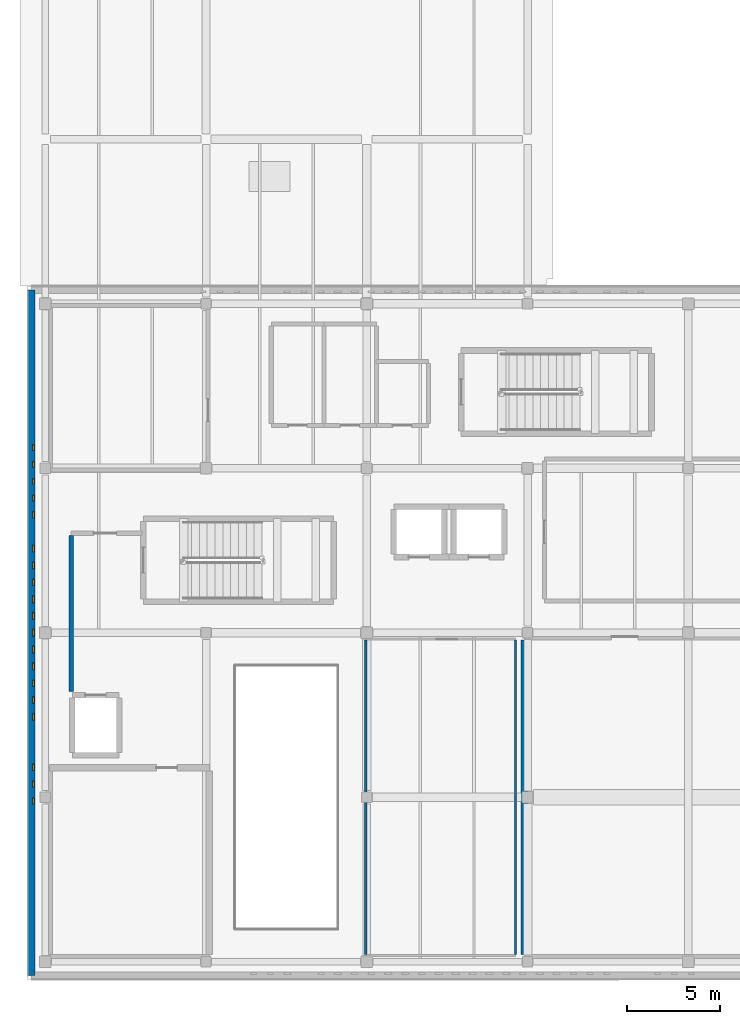
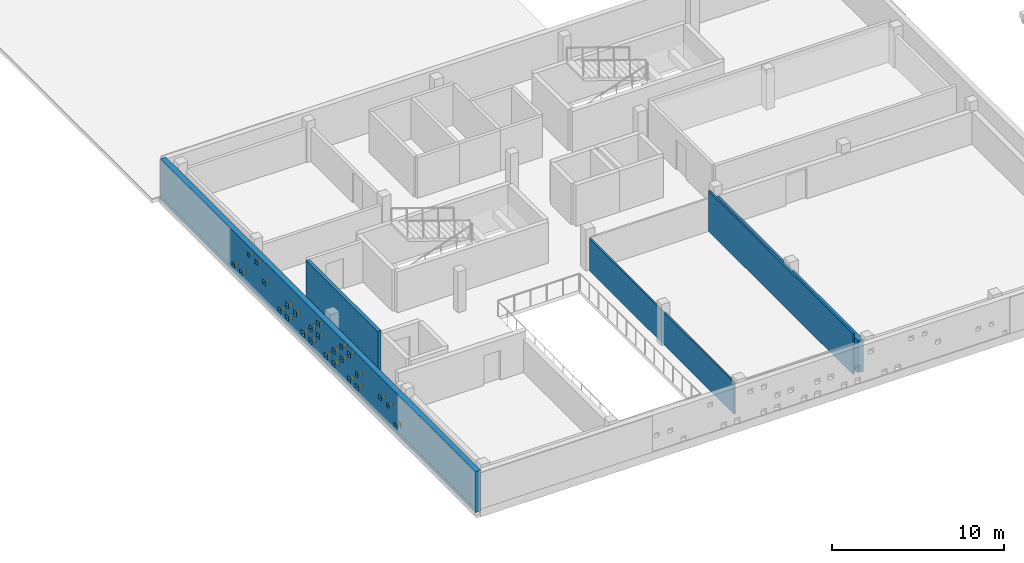
# One storey, part 9 of 17: 26 windows, 5 walls, 26 openings.
"""IFC4 building model written with IfcOpenShell, lengths in metres."""

from ifc_helpers import new_model, si_unit, direction, frame, frame_2d, origin, place, context, subcontext, project, spatial, rectangle, extrude, material, layer, layer_set, type_object, element, fill, save


model = new_model("IFC4")

# Units and contexts
model_context = context("Model", 3, precision=1e-05, world=origin(), true_north=direction((0.0, 1.0)))
body_context = subcontext(model_context, "Body", "Model", "MODEL_VIEW")
ifc_project = project(units=[si_unit("LENGTHUNIT", "METRE"), si_unit("AREAUNIT", "SQUARE_METRE"), si_unit("VOLUMEUNIT", "CUBIC_METRE"), si_unit("PLANEANGLEUNIT", "RADIAN"), si_unit("MASSUNIT", "GRAM", prefix="KILO")], contexts=[model_context])

# Site, building, storey
site_placement = place(None, origin())
site = spatial("IfcSite", under=ifc_project, at=site_placement, CompositionType="ELEMENT")
building_placement = place(site_placement, origin())
building = spatial("IfcBuilding", under=site, at=building_placement, Name="Varnakota Cinema and Media Centre", CompositionType="ELEMENT")
storey_placement = place(building_placement, frame((0.0, 0.0, 22.35009765625)))
storey = spatial("IfcBuildingStorey", under=building, at=storey_placement, Name="L06", CompositionType="ELEMENT", Elevation=22.35009765625)

# Wall
ifc_material_1 = material(Name="Autoclaved aerated concrete blockwork", Category="masonry")
ifc_layer_1 = layer(ifc_material_1, 0.22998046875)
ifc_layer_set_1 = layer_set([ifc_layer_1], Name="Autoclaved aerated concrete blockwork")
wall_type_1 = type_object("IfcWallType", Name="W-BOX-230", PredefinedType="PARTITIONING", material=ifc_layer_set_1)
wall_1_placement = place(storey_placement, frame((1.385009765625, 14.449951171875, 0.0), z_axis=(0.0, 0.0, 1.0), x_axis=(0.0, 1.0, 0.0)))
element("IfcWall", 1, at=wall_1_placement, inside=storey, type_object=wall_type_1, Name="L06 RWALL-RM-L06-FF-1 W wall", PredefinedType="PARTITIONING", context=body_context, shape_type="SweptSolid", body=[
    extrude(rectangle(XDim=8.35009765625, YDim=0.22998046875, at=frame_2d((4.175048828125, 0.0))), origin(), (0.0, 0.0, 1.0), 2.889892578125),
])

# Wall, openings, windows
ifc_material_2 = material(Name="Pale Tandur limestone cladding", Category="masonry")
ifc_layer_2 = layer(ifc_material_2, 0.360107421875)
ifc_layer_set_2 = layer_set([ifc_layer_2], Name="Pale Tandur limestone cladding")
wall_type_2 = type_object("IfcWallType", Name="W-EXT-TANDUR-360", PredefinedType="SOLIDWALL", material=ifc_layer_set_2)
wall_2_placement = place(storey_placement, frame((-0.739990234375, -0.739990234375, 0.0), z_axis=(0.0, 0.0, 1.0), x_axis=(0.0, 1.0, 0.0)))
wall_2 = element("IfcWall", 2, at=wall_2_placement, inside=storey, type_object=wall_type_2, Name="L06 V4 pale Tandur stone monolith wall V4-W", PredefinedType="SOLIDWALL", context=body_context, shape_type="SweptSolid", body=[
    extrude(rectangle(XDim=36.679931640625, YDim=0.360107421875, at=frame_2d((18.33984375, 0.0))), origin(), (0.0, 0.0, 1.0), 2.909912109375),
])
opening_1_placement = place(wall_2_placement, frame((9.179931640625, 0.0, 0.360107421875)))
opening_1 = element("IfcOpeningElement", 3, at=opening_1_placement, cuts=wall_2, Name="Opening WP13", PredefinedType="OPENING", context=body_context, shape_type="SweptSolid", body=[
    extrude(rectangle(XDim=0.320068359375, YDim=0.320068359375, at=frame_2d((0.16015625, 0.16015625))), frame((0.0, 0.18017578125, 0.0), z_axis=(0.0, -1.0, 0.0), x_axis=(1.0, 0.0, 0.0)), (0.0, 0.0, 1.0), 0.360107421875),
])
opening_2_placement = place(wall_2_placement, frame((10.090087890625, 0.0, 1.260009765625)))
opening_2 = element("IfcOpeningElement", 4, at=opening_2_placement, cuts=wall_2, Name="Opening WP14", PredefinedType="OPENING", context=body_context, shape_type="SweptSolid", body=[
    extrude(rectangle(XDim=0.300048828125, YDim=0.300048828125, at=frame_2d((0.14990234375, 0.14990234375))), frame((0.0, 0.18017578125, 0.0), z_axis=(0.0, -1.0, 0.0), x_axis=(1.0, 0.0, 0.0)), (0.0, 0.0, 1.0), 0.360107421875),
])
opening_3_placement = place(wall_2_placement, frame((10.97998046875, 0.0, 1.260009765625)))
opening_3 = element("IfcOpeningElement", 5, at=opening_3_placement, cuts=wall_2, Name="Opening WP13", PredefinedType="OPENING", context=body_context, shape_type="SweptSolid", body=[
    extrude(rectangle(XDim=0.320068359375, YDim=0.320068359375, at=frame_2d((0.16015625, 0.16015625))), frame((0.0, 0.18017578125, 0.0), z_axis=(0.0, -1.0, 0.0), x_axis=(1.0, 0.0, 0.0)), (0.0, 0.0, 1.0), 0.360107421875),
])
opening_4_placement = place(wall_2_placement, frame((13.659912109375, 0.0, 0.360107421875)))
opening_4 = element("IfcOpeningElement", 6, at=opening_4_placement, cuts=wall_2, Name="Opening WP11", PredefinedType="OPENING", context=body_context, shape_type="SweptSolid", body=[
    extrude(rectangle(XDim=0.360107421875, YDim=0.360107421875, at=frame_2d((0.18017578125, 0.18017578125))), frame((0.0, 0.18017578125, 0.0), z_axis=(0.0, -1.0, 0.0), x_axis=(1.0, 0.0, 0.0)), (0.0, 0.0, 1.0), 0.360107421875),
])
opening_5_placement = place(wall_2_placement, frame((13.669921875, 0.0, 1.260009765625)))
opening_5 = element("IfcOpeningElement", 7, at=opening_5_placement, cuts=wall_2, Name="Opening WP12", PredefinedType="OPENING", context=body_context, shape_type="SweptSolid", body=[
    extrude(rectangle(XDim=0.340087890625, YDim=0.340087890625, at=frame_2d((0.169921875, 0.169921875))), frame((0.0, 0.18017578125, 0.0), z_axis=(0.0, -1.0, 0.0), x_axis=(1.0, 0.0, 0.0)), (0.0, 0.0, 1.0), 0.360107421875),
])
opening_6_placement = place(wall_2_placement, frame((14.56005859375, 0.0, 0.360107421875)))
opening_6 = element("IfcOpeningElement", 8, at=opening_6_placement, cuts=wall_2, Name="Opening WP11", PredefinedType="OPENING", context=body_context, shape_type="SweptSolid", body=[
    extrude(rectangle(XDim=0.360107421875, YDim=0.360107421875, at=frame_2d((0.18017578125, 0.18017578125))), frame((0.0, 0.18017578125, 0.0), z_axis=(0.0, -1.0, 0.0), x_axis=(1.0, 0.0, 0.0)), (0.0, 0.0, 1.0), 0.360107421875),
])
opening_7_placement = place(wall_2_placement, frame((14.580078125, 0.0, 2.159912109375)))
opening_7 = element("IfcOpeningElement", 9, at=opening_7_placement, cuts=wall_2, Name="Opening WP13", PredefinedType="OPENING", context=body_context, shape_type="SweptSolid", body=[
    extrude(rectangle(XDim=0.320068359375, YDim=0.320068359375, at=frame_2d((0.16015625, 0.16015625))), frame((0.0, 0.18017578125, 0.0), z_axis=(0.0, -1.0, 0.0), x_axis=(1.0, 0.0, 0.0)), (0.0, 0.0, 1.0), 0.360107421875),
])
opening_8_placement = place(wall_2_placement, frame((15.469970703125, 0.0, 1.260009765625)))
opening_8 = element("IfcOpeningElement", 10, at=opening_8_placement, cuts=wall_2, Name="Opening WP12", PredefinedType="OPENING", context=body_context, shape_type="SweptSolid", body=[
    extrude(rectangle(XDim=0.340087890625, YDim=0.340087890625, at=frame_2d((0.169921875, 0.169921875))), frame((0.0, 0.18017578125, 0.0), z_axis=(0.0, -1.0, 0.0), x_axis=(1.0, 0.0, 0.0)), (0.0, 0.0, 1.0), 0.360107421875),
])
opening_9_placement = place(wall_2_placement, frame((15.47998046875, 0.0, 2.159912109375)))
opening_9 = element("IfcOpeningElement", 11, at=opening_9_placement, cuts=wall_2, Name="Opening WP13", PredefinedType="OPENING", context=body_context, shape_type="SweptSolid", body=[
    extrude(rectangle(XDim=0.320068359375, YDim=0.320068359375, at=frame_2d((0.16015625, 0.16015625))), frame((0.0, 0.18017578125, 0.0), z_axis=(0.0, -1.0, 0.0), x_axis=(1.0, 0.0, 0.0)), (0.0, 0.0, 1.0), 0.360107421875),
])
opening_10_placement = place(wall_2_placement, frame((16.35009765625, 0.0, 0.360107421875)))
opening_10 = element("IfcOpeningElement", 12, at=opening_10_placement, cuts=wall_2, Name="Opening WP10", PredefinedType="OPENING", context=body_context, shape_type="SweptSolid", body=[
    extrude(rectangle(XDim=0.3798828125, YDim=0.3798828125, at=frame_2d((0.18994140625, 0.18994140625))), frame((0.0, 0.18017578125, 0.0), z_axis=(0.0, -1.0, 0.0), x_axis=(1.0, 0.0, 0.0)), (0.0, 0.0, 1.0), 0.360107421875),
])
opening_11_placement = place(wall_2_placement, frame((16.360107421875, 0.0, 1.260009765625)))
opening_11 = element("IfcOpeningElement", 13, at=opening_11_placement, cuts=wall_2, Name="Opening WP11", PredefinedType="OPENING", context=body_context, shape_type="SweptSolid", body=[
    extrude(rectangle(XDim=0.360107421875, YDim=0.360107421875, at=frame_2d((0.18017578125, 0.18017578125))), frame((0.0, 0.18017578125, 0.0), z_axis=(0.0, -1.0, 0.0), x_axis=(1.0, 0.0, 0.0)), (0.0, 0.0, 1.0), 0.360107421875),
])
opening_12_placement = place(wall_2_placement, frame((17.25, 0.0, 0.360107421875)))
opening_12 = element("IfcOpeningElement", 14, at=opening_12_placement, cuts=wall_2, Name="Opening WP10", PredefinedType="OPENING", context=body_context, shape_type="SweptSolid", body=[
    extrude(rectangle(XDim=0.3798828125, YDim=0.3798828125, at=frame_2d((0.18994140625, 0.18994140625))), frame((0.0, 0.18017578125, 0.0), z_axis=(0.0, -1.0, 0.0), x_axis=(1.0, 0.0, 0.0)), (0.0, 0.0, 1.0), 0.360107421875),
])
opening_13_placement = place(wall_2_placement, frame((18.159912109375, 0.0, 1.260009765625)))
opening_13 = element("IfcOpeningElement", 15, at=opening_13_placement, cuts=wall_2, Name="Opening WP11", PredefinedType="OPENING", context=body_context, shape_type="SweptSolid", body=[
    extrude(rectangle(XDim=0.360107421875, YDim=0.360107421875, at=frame_2d((0.18017578125, 0.18017578125))), frame((0.0, 0.18017578125, 0.0), z_axis=(0.0, -1.0, 0.0), x_axis=(1.0, 0.0, 0.0)), (0.0, 0.0, 1.0), 0.360107421875),
])
opening_14_placement = place(wall_2_placement, frame((18.179931640625, 0.0, 2.159912109375)))
opening_14 = element("IfcOpeningElement", 16, at=opening_14_placement, cuts=wall_2, Name="Opening WP13", PredefinedType="OPENING", context=body_context, shape_type="SweptSolid", body=[
    extrude(rectangle(XDim=0.320068359375, YDim=0.320068359375, at=frame_2d((0.16015625, 0.16015625))), frame((0.0, 0.18017578125, 0.0), z_axis=(0.0, -1.0, 0.0), x_axis=(1.0, 0.0, 0.0)), (0.0, 0.0, 1.0), 0.360107421875),
])
opening_15_placement = place(wall_2_placement, frame((19.050048828125, 0.0, 0.360107421875)))
opening_15 = element("IfcOpeningElement", 17, at=opening_15_placement, cuts=wall_2, Name="Opening WP10", PredefinedType="OPENING", context=body_context, shape_type="SweptSolid", body=[
    extrude(rectangle(XDim=0.3798828125, YDim=0.3798828125, at=frame_2d((0.18994140625, 0.18994140625))), frame((0.0, 0.18017578125, 0.0), z_axis=(0.0, -1.0, 0.0), x_axis=(1.0, 0.0, 0.0)), (0.0, 0.0, 1.0), 0.360107421875),
])
opening_16_placement = place(wall_2_placement, frame((19.06005859375, 0.0, 1.260009765625)))
opening_16 = element("IfcOpeningElement", 18, at=opening_16_placement, cuts=wall_2, Name="Opening WP11", PredefinedType="OPENING", context=body_context, shape_type="SweptSolid", body=[
    extrude(rectangle(XDim=0.360107421875, YDim=0.360107421875, at=frame_2d((0.18017578125, 0.18017578125))), frame((0.0, 0.18017578125, 0.0), z_axis=(0.0, -1.0, 0.0), x_axis=(1.0, 0.0, 0.0)), (0.0, 0.0, 1.0), 0.360107421875),
])
opening_17_placement = place(wall_2_placement, frame((19.949951171875, 0.0, 0.360107421875)))
opening_17 = element("IfcOpeningElement", 19, at=opening_17_placement, cuts=wall_2, Name="Opening WP10", PredefinedType="OPENING", context=body_context, shape_type="SweptSolid", body=[
    extrude(rectangle(XDim=0.3798828125, YDim=0.3798828125, at=frame_2d((0.18994140625, 0.18994140625))), frame((0.0, 0.18017578125, 0.0), z_axis=(0.0, -1.0, 0.0), x_axis=(1.0, 0.0, 0.0)), (0.0, 0.0, 1.0), 0.360107421875),
])
opening_18_placement = place(wall_2_placement, frame((20.8701171875, 0.0, 1.260009765625)))
opening_18 = element("IfcOpeningElement", 20, at=opening_18_placement, cuts=wall_2, Name="Opening WP12", PredefinedType="OPENING", context=body_context, shape_type="SweptSolid", body=[
    extrude(rectangle(XDim=0.340087890625, YDim=0.340087890625, at=frame_2d((0.169921875, 0.169921875))), frame((0.0, 0.18017578125, 0.0), z_axis=(0.0, -1.0, 0.0), x_axis=(1.0, 0.0, 0.0)), (0.0, 0.0, 1.0), 0.360107421875),
])
opening_19_placement = place(wall_2_placement, frame((21.760009765625, 0.0, 0.360107421875)))
opening_19 = element("IfcOpeningElement", 21, at=opening_19_placement, cuts=wall_2, Name="Opening WP11", PredefinedType="OPENING", context=body_context, shape_type="SweptSolid", body=[
    extrude(rectangle(XDim=0.360107421875, YDim=0.360107421875, at=frame_2d((0.18017578125, 0.18017578125))), frame((0.0, 0.18017578125, 0.0), z_axis=(0.0, -1.0, 0.0), x_axis=(1.0, 0.0, 0.0)), (0.0, 0.0, 1.0), 0.360107421875),
])
opening_20_placement = place(wall_2_placement, frame((21.77001953125, 0.0, 1.260009765625)))
opening_20 = element("IfcOpeningElement", 22, at=opening_20_placement, cuts=wall_2, Name="Opening WP12", PredefinedType="OPENING", context=body_context, shape_type="SweptSolid", body=[
    extrude(rectangle(XDim=0.340087890625, YDim=0.340087890625, at=frame_2d((0.169921875, 0.169921875))), frame((0.0, 0.18017578125, 0.0), z_axis=(0.0, -1.0, 0.0), x_axis=(1.0, 0.0, 0.0)), (0.0, 0.0, 1.0), 0.360107421875),
])
opening_21_placement = place(wall_2_placement, frame((22.659912109375, 0.0, 0.360107421875)))
opening_21 = element("IfcOpeningElement", 23, at=opening_21_placement, cuts=wall_2, Name="Opening WP11", PredefinedType="OPENING", context=body_context, shape_type="SweptSolid", body=[
    extrude(rectangle(XDim=0.360107421875, YDim=0.360107421875, at=frame_2d((0.18017578125, 0.18017578125))), frame((0.0, 0.18017578125, 0.0), z_axis=(0.0, -1.0, 0.0), x_axis=(1.0, 0.0, 0.0)), (0.0, 0.0, 1.0), 0.360107421875),
])
opening_22_placement = place(wall_2_placement, frame((24.47998046875, 0.0, 1.260009765625)))
opening_22 = element("IfcOpeningElement", 24, at=opening_22_placement, cuts=wall_2, Name="Opening WP13", PredefinedType="OPENING", context=body_context, shape_type="SweptSolid", body=[
    extrude(rectangle(XDim=0.320068359375, YDim=0.320068359375, at=frame_2d((0.16015625, 0.16015625))), frame((0.0, 0.18017578125, 0.0), z_axis=(0.0, -1.0, 0.0), x_axis=(1.0, 0.0, 0.0)), (0.0, 0.0, 1.0), 0.360107421875),
])
opening_23_placement = place(wall_2_placement, frame((25.389892578125, 0.0, 2.159912109375)))
opening_23 = element("IfcOpeningElement", 25, at=opening_23_placement, cuts=wall_2, Name="Opening WP14", PredefinedType="OPENING", context=body_context, shape_type="SweptSolid", body=[
    extrude(rectangle(XDim=0.300048828125, YDim=0.300048828125, at=frame_2d((0.14990234375, 0.14990234375))), frame((0.0, 0.18017578125, 0.0), z_axis=(0.0, -1.0, 0.0), x_axis=(1.0, 0.0, 0.0)), (0.0, 0.0, 1.0), 0.360107421875),
])
opening_24_placement = place(wall_2_placement, frame((26.300048828125, 0.0, 2.159912109375)))
opening_24 = element("IfcOpeningElement", 26, at=opening_24_placement, cuts=wall_2, Name="Opening WP15", PredefinedType="OPENING", context=body_context, shape_type="SweptSolid", body=[
    extrude(rectangle(XDim=0.280029296875, YDim=0.280029296875, at=frame_2d((0.14013671875, 0.14013671875))), frame((0.0, 0.18017578125, 0.0), z_axis=(0.0, -1.0, 0.0), x_axis=(1.0, 0.0, 0.0)), (0.0, 0.0, 1.0), 0.360107421875),
])
opening_25_placement = place(wall_2_placement, frame((27.179931640625, 0.0, 0.360107421875)))
opening_25 = element("IfcOpeningElement", 27, at=opening_25_placement, cuts=wall_2, Name="Opening WP13", PredefinedType="OPENING", context=body_context, shape_type="SweptSolid", body=[
    extrude(rectangle(XDim=0.320068359375, YDim=0.320068359375, at=frame_2d((0.16015625, 0.16015625))), frame((0.0, 0.18017578125, 0.0), z_axis=(0.0, -1.0, 0.0), x_axis=(1.0, 0.0, 0.0)), (0.0, 0.0, 1.0), 0.360107421875),
])
opening_26_placement = place(wall_2_placement, frame((28.090087890625, 0.0, 0.360107421875)))
opening_26 = element("IfcOpeningElement", 28, at=opening_26_placement, cuts=wall_2, Name="Opening WP14", PredefinedType="OPENING", context=body_context, shape_type="SweptSolid", body=[
    extrude(rectangle(XDim=0.300048828125, YDim=0.300048828125, at=frame_2d((0.14990234375, 0.14990234375))), frame((0.0, 0.18017578125, 0.0), z_axis=(0.0, -1.0, 0.0), x_axis=(1.0, 0.0, 0.0)), (0.0, 0.0, 1.0), 0.360107421875),
])
ifc_material_3 = material(Name="Laminated solar-control double glazing", Category="glass")
window_type_1 = type_object("IfcWindowType", Name="WIN-PIERCE-10", PartitioningType="SINGLE_PANEL", PredefinedType="WINDOW", material=ifc_material_3)
window_1_placement = place(opening_10_placement, origin())
window_1 = element("IfcWindow", 29, at=window_1_placement, inside=storey, type_object=window_type_1, Name="L06 window WP10", OverallHeight=0.3798828125, OverallWidth=0.3798828125, PartitioningType="SINGLE_PANEL", PredefinedType="WINDOW", context=body_context, shape_type="SweptSolid", body=[
    extrude(rectangle(XDim=0.3798828125, YDim=0.3798828125, at=frame_2d((0.18994140625, 0.18994140625))), frame((0.0, -0.070068359375, 0.0), z_axis=(0.0, -1.0, 0.0), x_axis=(1.0, 0.0, 0.0)), (0.0, 0.0, 1.0), 0.06005859375),
])
fill(opening_10, window_1)
window_2_placement = place(opening_12_placement, origin())
window_2 = element("IfcWindow", 30, at=window_2_placement, inside=storey, type_object=window_type_1, Name="L06 window WP10", OverallHeight=0.3798828125, OverallWidth=0.3798828125, PartitioningType="SINGLE_PANEL", PredefinedType="WINDOW", context=body_context, shape_type="SweptSolid", body=[
    extrude(rectangle(XDim=0.3798828125, YDim=0.3798828125, at=frame_2d((0.18994140625, 0.18994140625))), frame((0.0, -0.070068359375, 0.0), z_axis=(0.0, -1.0, 0.0), x_axis=(1.0, 0.0, 0.0)), (0.0, 0.0, 1.0), 0.06005859375),
])
fill(opening_12, window_2)
window_3_placement = place(opening_15_placement, origin())
window_3 = element("IfcWindow", 31, at=window_3_placement, inside=storey, type_object=window_type_1, Name="L06 window WP10", OverallHeight=0.3798828125, OverallWidth=0.3798828125, PartitioningType="SINGLE_PANEL", PredefinedType="WINDOW", context=body_context, shape_type="SweptSolid", body=[
    extrude(rectangle(XDim=0.3798828125, YDim=0.3798828125, at=frame_2d((0.18994140625, 0.18994140625))), frame((0.0, -0.070068359375, 0.0), z_axis=(0.0, -1.0, 0.0), x_axis=(1.0, 0.0, 0.0)), (0.0, 0.0, 1.0), 0.06005859375),
])
fill(opening_15, window_3)
window_4_placement = place(opening_17_placement, origin())
window_4 = element("IfcWindow", 32, at=window_4_placement, inside=storey, type_object=window_type_1, Name="L06 window WP10", OverallHeight=0.3798828125, OverallWidth=0.3798828125, PartitioningType="SINGLE_PANEL", PredefinedType="WINDOW", context=body_context, shape_type="SweptSolid", body=[
    extrude(rectangle(XDim=0.3798828125, YDim=0.3798828125, at=frame_2d((0.18994140625, 0.18994140625))), frame((0.0, -0.070068359375, 0.0), z_axis=(0.0, -1.0, 0.0), x_axis=(1.0, 0.0, 0.0)), (0.0, 0.0, 1.0), 0.06005859375),
])
fill(opening_17, window_4)
ifc_material_4 = material(Name="Laminated solar-control double glazing", Category="glass")
window_type_2 = type_object("IfcWindowType", Name="WIN-PIERCE-11", PartitioningType="SINGLE_PANEL", PredefinedType="WINDOW", material=ifc_material_4)
window_5_placement = place(opening_4_placement, origin())
window_5 = element("IfcWindow", 33, at=window_5_placement, inside=storey, type_object=window_type_2, Name="L06 window WP11", OverallHeight=0.360107421875, OverallWidth=0.360107421875, PartitioningType="SINGLE_PANEL", PredefinedType="WINDOW", context=body_context, shape_type="SweptSolid", body=[
    extrude(rectangle(XDim=0.360107421875, YDim=0.360107421875, at=frame_2d((0.18017578125, 0.18017578125))), frame((0.0, -0.070068359375, 0.0), z_axis=(0.0, -1.0, 0.0), x_axis=(1.0, 0.0, 0.0)), (0.0, 0.0, 1.0), 0.06005859375),
])
fill(opening_4, window_5)
window_6_placement = place(opening_6_placement, origin())
window_6 = element("IfcWindow", 34, at=window_6_placement, inside=storey, type_object=window_type_2, Name="L06 window WP11", OverallHeight=0.360107421875, OverallWidth=0.360107421875, PartitioningType="SINGLE_PANEL", PredefinedType="WINDOW", context=body_context, shape_type="SweptSolid", body=[
    extrude(rectangle(XDim=0.360107421875, YDim=0.360107421875, at=frame_2d((0.18017578125, 0.18017578125))), frame((0.0, -0.070068359375, 0.0), z_axis=(0.0, -1.0, 0.0), x_axis=(1.0, 0.0, 0.0)), (0.0, 0.0, 1.0), 0.06005859375),
])
fill(opening_6, window_6)
window_7_placement = place(opening_11_placement, origin())
window_7 = element("IfcWindow", 35, at=window_7_placement, inside=storey, type_object=window_type_2, Name="L06 window WP11", OverallHeight=0.360107421875, OverallWidth=0.360107421875, PartitioningType="SINGLE_PANEL", PredefinedType="WINDOW", context=body_context, shape_type="SweptSolid", body=[
    extrude(rectangle(XDim=0.360107421875, YDim=0.360107421875, at=frame_2d((0.18017578125, 0.18017578125))), frame((0.0, -0.070068359375, 0.0), z_axis=(0.0, -1.0, 0.0), x_axis=(1.0, 0.0, 0.0)), (0.0, 0.0, 1.0), 0.06005859375),
])
fill(opening_11, window_7)
window_8_placement = place(opening_13_placement, origin())
window_8 = element("IfcWindow", 36, at=window_8_placement, inside=storey, type_object=window_type_2, Name="L06 window WP11", OverallHeight=0.360107421875, OverallWidth=0.360107421875, PartitioningType="SINGLE_PANEL", PredefinedType="WINDOW", context=body_context, shape_type="SweptSolid", body=[
    extrude(rectangle(XDim=0.360107421875, YDim=0.360107421875, at=frame_2d((0.18017578125, 0.18017578125))), frame((0.0, -0.070068359375, 0.0), z_axis=(0.0, -1.0, 0.0), x_axis=(1.0, 0.0, 0.0)), (0.0, 0.0, 1.0), 0.06005859375),
])
fill(opening_13, window_8)
window_9_placement = place(opening_16_placement, origin())
window_9 = element("IfcWindow", 37, at=window_9_placement, inside=storey, type_object=window_type_2, Name="L06 window WP11", OverallHeight=0.360107421875, OverallWidth=0.360107421875, PartitioningType="SINGLE_PANEL", PredefinedType="WINDOW", context=body_context, shape_type="SweptSolid", body=[
    extrude(rectangle(XDim=0.360107421875, YDim=0.360107421875, at=frame_2d((0.18017578125, 0.18017578125))), frame((0.0, -0.070068359375, 0.0), z_axis=(0.0, -1.0, 0.0), x_axis=(1.0, 0.0, 0.0)), (0.0, 0.0, 1.0), 0.06005859375),
])
fill(opening_16, window_9)
window_10_placement = place(opening_19_placement, origin())
window_10 = element("IfcWindow", 38, at=window_10_placement, inside=storey, type_object=window_type_2, Name="L06 window WP11", OverallHeight=0.360107421875, OverallWidth=0.360107421875, PartitioningType="SINGLE_PANEL", PredefinedType="WINDOW", context=body_context, shape_type="SweptSolid", body=[
    extrude(rectangle(XDim=0.360107421875, YDim=0.360107421875, at=frame_2d((0.18017578125, 0.18017578125))), frame((0.0, -0.070068359375, 0.0), z_axis=(0.0, -1.0, 0.0), x_axis=(1.0, 0.0, 0.0)), (0.0, 0.0, 1.0), 0.06005859375),
])
fill(opening_19, window_10)
window_11_placement = place(opening_21_placement, origin())
window_11 = element("IfcWindow", 39, at=window_11_placement, inside=storey, type_object=window_type_2, Name="L06 window WP11", OverallHeight=0.360107421875, OverallWidth=0.360107421875, PartitioningType="SINGLE_PANEL", PredefinedType="WINDOW", context=body_context, shape_type="SweptSolid", body=[
    extrude(rectangle(XDim=0.360107421875, YDim=0.360107421875, at=frame_2d((0.18017578125, 0.18017578125))), frame((0.0, -0.070068359375, 0.0), z_axis=(0.0, -1.0, 0.0), x_axis=(1.0, 0.0, 0.0)), (0.0, 0.0, 1.0), 0.06005859375),
])
fill(opening_21, window_11)
ifc_material_5 = material(Name="Laminated solar-control double glazing", Category="glass")
window_type_3 = type_object("IfcWindowType", Name="WIN-PIERCE-12", PartitioningType="SINGLE_PANEL", PredefinedType="WINDOW", material=ifc_material_5)
window_12_placement = place(opening_5_placement, origin())
window_12 = element("IfcWindow", 40, at=window_12_placement, inside=storey, type_object=window_type_3, Name="L06 window WP12", OverallHeight=0.340087890625, OverallWidth=0.340087890625, PartitioningType="SINGLE_PANEL", PredefinedType="WINDOW", context=body_context, shape_type="SweptSolid", body=[
    extrude(rectangle(XDim=0.340087890625, YDim=0.340087890625, at=frame_2d((0.169921875, 0.169921875))), frame((0.0, -0.070068359375, 0.0), z_axis=(0.0, -1.0, 0.0), x_axis=(1.0, 0.0, 0.0)), (0.0, 0.0, 1.0), 0.06005859375),
])
fill(opening_5, window_12)
window_13_placement = place(opening_8_placement, origin())
window_13 = element("IfcWindow", 41, at=window_13_placement, inside=storey, type_object=window_type_3, Name="L06 window WP12", OverallHeight=0.340087890625, OverallWidth=0.340087890625, PartitioningType="SINGLE_PANEL", PredefinedType="WINDOW", context=body_context, shape_type="SweptSolid", body=[
    extrude(rectangle(XDim=0.340087890625, YDim=0.340087890625, at=frame_2d((0.169921875, 0.169921875))), frame((0.0, -0.070068359375, 0.0), z_axis=(0.0, -1.0, 0.0), x_axis=(1.0, 0.0, 0.0)), (0.0, 0.0, 1.0), 0.06005859375),
])
fill(opening_8, window_13)
window_14_placement = place(opening_18_placement, origin())
window_14 = element("IfcWindow", 42, at=window_14_placement, inside=storey, type_object=window_type_3, Name="L06 window WP12", OverallHeight=0.340087890625, OverallWidth=0.340087890625, PartitioningType="SINGLE_PANEL", PredefinedType="WINDOW", context=body_context, shape_type="SweptSolid", body=[
    extrude(rectangle(XDim=0.340087890625, YDim=0.340087890625, at=frame_2d((0.169921875, 0.169921875))), frame((0.0, -0.070068359375, 0.0), z_axis=(0.0, -1.0, 0.0), x_axis=(1.0, 0.0, 0.0)), (0.0, 0.0, 1.0), 0.06005859375),
])
fill(opening_18, window_14)
window_15_placement = place(opening_20_placement, origin())
window_15 = element("IfcWindow", 43, at=window_15_placement, inside=storey, type_object=window_type_3, Name="L06 window WP12", OverallHeight=0.340087890625, OverallWidth=0.340087890625, PartitioningType="SINGLE_PANEL", PredefinedType="WINDOW", context=body_context, shape_type="SweptSolid", body=[
    extrude(rectangle(XDim=0.340087890625, YDim=0.340087890625, at=frame_2d((0.169921875, 0.169921875))), frame((0.0, -0.070068359375, 0.0), z_axis=(0.0, -1.0, 0.0), x_axis=(1.0, 0.0, 0.0)), (0.0, 0.0, 1.0), 0.06005859375),
])
fill(opening_20, window_15)
ifc_material_6 = material(Name="Laminated solar-control double glazing", Category="glass")
window_type_4 = type_object("IfcWindowType", Name="WIN-PIERCE-13", PartitioningType="SINGLE_PANEL", PredefinedType="WINDOW", material=ifc_material_6)
window_16_placement = place(opening_1_placement, origin())
window_16 = element("IfcWindow", 44, at=window_16_placement, inside=storey, type_object=window_type_4, Name="L06 window WP13", OverallHeight=0.320068359375, OverallWidth=0.320068359375, PartitioningType="SINGLE_PANEL", PredefinedType="WINDOW", context=body_context, shape_type="SweptSolid", body=[
    extrude(rectangle(XDim=0.320068359375, YDim=0.320068359375, at=frame_2d((0.16015625, 0.16015625))), frame((0.0, -0.070068359375, 0.0), z_axis=(0.0, -1.0, 0.0), x_axis=(1.0, 0.0, 0.0)), (0.0, 0.0, 1.0), 0.06005859375),
])
fill(opening_1, window_16)
window_17_placement = place(opening_3_placement, origin())
window_17 = element("IfcWindow", 45, at=window_17_placement, inside=storey, type_object=window_type_4, Name="L06 window WP13", OverallHeight=0.320068359375, OverallWidth=0.320068359375, PartitioningType="SINGLE_PANEL", PredefinedType="WINDOW", context=body_context, shape_type="SweptSolid", body=[
    extrude(rectangle(XDim=0.320068359375, YDim=0.320068359375, at=frame_2d((0.16015625, 0.16015625))), frame((0.0, -0.070068359375, 0.0), z_axis=(0.0, -1.0, 0.0), x_axis=(1.0, 0.0, 0.0)), (0.0, 0.0, 1.0), 0.06005859375),
])
fill(opening_3, window_17)
window_18_placement = place(opening_7_placement, origin())
window_18 = element("IfcWindow", 46, at=window_18_placement, inside=storey, type_object=window_type_4, Name="L06 window WP13", OverallHeight=0.320068359375, OverallWidth=0.320068359375, PartitioningType="SINGLE_PANEL", PredefinedType="WINDOW", context=body_context, shape_type="SweptSolid", body=[
    extrude(rectangle(XDim=0.320068359375, YDim=0.320068359375, at=frame_2d((0.16015625, 0.16015625))), frame((0.0, -0.070068359375, 0.0), z_axis=(0.0, -1.0, 0.0), x_axis=(1.0, 0.0, 0.0)), (0.0, 0.0, 1.0), 0.06005859375),
])
fill(opening_7, window_18)
window_19_placement = place(opening_9_placement, origin())
window_19 = element("IfcWindow", 47, at=window_19_placement, inside=storey, type_object=window_type_4, Name="L06 window WP13", OverallHeight=0.320068359375, OverallWidth=0.320068359375, PartitioningType="SINGLE_PANEL", PredefinedType="WINDOW", context=body_context, shape_type="SweptSolid", body=[
    extrude(rectangle(XDim=0.320068359375, YDim=0.320068359375, at=frame_2d((0.16015625, 0.16015625))), frame((0.0, -0.070068359375, 0.0), z_axis=(0.0, -1.0, 0.0), x_axis=(1.0, 0.0, 0.0)), (0.0, 0.0, 1.0), 0.06005859375),
])
fill(opening_9, window_19)
window_20_placement = place(opening_14_placement, origin())
window_20 = element("IfcWindow", 48, at=window_20_placement, inside=storey, type_object=window_type_4, Name="L06 window WP13", OverallHeight=0.320068359375, OverallWidth=0.320068359375, PartitioningType="SINGLE_PANEL", PredefinedType="WINDOW", context=body_context, shape_type="SweptSolid", body=[
    extrude(rectangle(XDim=0.320068359375, YDim=0.320068359375, at=frame_2d((0.16015625, 0.16015625))), frame((0.0, -0.070068359375, 0.0), z_axis=(0.0, -1.0, 0.0), x_axis=(1.0, 0.0, 0.0)), (0.0, 0.0, 1.0), 0.06005859375),
])
fill(opening_14, window_20)
window_21_placement = place(opening_22_placement, origin())
window_21 = element("IfcWindow", 49, at=window_21_placement, inside=storey, type_object=window_type_4, Name="L06 window WP13", OverallHeight=0.320068359375, OverallWidth=0.320068359375, PartitioningType="SINGLE_PANEL", PredefinedType="WINDOW", context=body_context, shape_type="SweptSolid", body=[
    extrude(rectangle(XDim=0.320068359375, YDim=0.320068359375, at=frame_2d((0.16015625, 0.16015625))), frame((0.0, -0.070068359375, 0.0), z_axis=(0.0, -1.0, 0.0), x_axis=(1.0, 0.0, 0.0)), (0.0, 0.0, 1.0), 0.06005859375),
])
fill(opening_22, window_21)
window_22_placement = place(opening_25_placement, origin())
window_22 = element("IfcWindow", 50, at=window_22_placement, inside=storey, type_object=window_type_4, Name="L06 window WP13", OverallHeight=0.320068359375, OverallWidth=0.320068359375, PartitioningType="SINGLE_PANEL", PredefinedType="WINDOW", context=body_context, shape_type="SweptSolid", body=[
    extrude(rectangle(XDim=0.320068359375, YDim=0.320068359375, at=frame_2d((0.16015625, 0.16015625))), frame((0.0, -0.070068359375, 0.0), z_axis=(0.0, -1.0, 0.0), x_axis=(1.0, 0.0, 0.0)), (0.0, 0.0, 1.0), 0.06005859375),
])
fill(opening_25, window_22)
ifc_material_7 = material(Name="Laminated solar-control double glazing", Category="glass")
window_type_5 = type_object("IfcWindowType", Name="WIN-PIERCE-14", PartitioningType="SINGLE_PANEL", PredefinedType="WINDOW", material=ifc_material_7)
window_23_placement = place(opening_2_placement, origin())
window_23 = element("IfcWindow", 51, at=window_23_placement, inside=storey, type_object=window_type_5, Name="L06 window WP14", OverallHeight=0.300048828125, OverallWidth=0.300048828125, PartitioningType="SINGLE_PANEL", PredefinedType="WINDOW", context=body_context, shape_type="SweptSolid", body=[
    extrude(rectangle(XDim=0.300048828125, YDim=0.300048828125, at=frame_2d((0.14990234375, 0.14990234375))), frame((0.0, -0.070068359375, 0.0), z_axis=(0.0, -1.0, 0.0), x_axis=(1.0, 0.0, 0.0)), (0.0, 0.0, 1.0), 0.06005859375),
])
fill(opening_2, window_23)
window_24_placement = place(opening_23_placement, origin())
window_24 = element("IfcWindow", 52, at=window_24_placement, inside=storey, type_object=window_type_5, Name="L06 window WP14", OverallHeight=0.300048828125, OverallWidth=0.300048828125, PartitioningType="SINGLE_PANEL", PredefinedType="WINDOW", context=body_context, shape_type="SweptSolid", body=[
    extrude(rectangle(XDim=0.300048828125, YDim=0.300048828125, at=frame_2d((0.14990234375, 0.14990234375))), frame((0.0, -0.070068359375, 0.0), z_axis=(0.0, -1.0, 0.0), x_axis=(1.0, 0.0, 0.0)), (0.0, 0.0, 1.0), 0.06005859375),
])
fill(opening_23, window_24)
window_25_placement = place(opening_26_placement, origin())
window_25 = element("IfcWindow", 53, at=window_25_placement, inside=storey, type_object=window_type_5, Name="L06 window WP14", OverallHeight=0.300048828125, OverallWidth=0.300048828125, PartitioningType="SINGLE_PANEL", PredefinedType="WINDOW", context=body_context, shape_type="SweptSolid", body=[
    extrude(rectangle(XDim=0.300048828125, YDim=0.300048828125, at=frame_2d((0.14990234375, 0.14990234375))), frame((0.0, -0.070068359375, 0.0), z_axis=(0.0, -1.0, 0.0), x_axis=(1.0, 0.0, 0.0)), (0.0, 0.0, 1.0), 0.06005859375),
])
fill(opening_26, window_25)
ifc_material_8 = material(Name="Laminated solar-control double glazing", Category="glass")
window_type_6 = type_object("IfcWindowType", Name="WIN-PIERCE-15", PartitioningType="SINGLE_PANEL", PredefinedType="WINDOW", material=ifc_material_8)
window_26_placement = place(opening_24_placement, origin())
window_26 = element("IfcWindow", 54, at=window_26_placement, inside=storey, type_object=window_type_6, Name="L06 window WP15", OverallHeight=0.280029296875, OverallWidth=0.280029296875, PartitioningType="SINGLE_PANEL", PredefinedType="WINDOW", context=body_context, shape_type="SweptSolid", body=[
    extrude(rectangle(XDim=0.280029296875, YDim=0.280029296875, at=frame_2d((0.14013671875, 0.14013671875))), frame((0.0, -0.070068359375, 0.0), z_axis=(0.0, -1.0, 0.0), x_axis=(1.0, 0.0, 0.0)), (0.0, 0.0, 1.0), 0.06005859375),
])
fill(opening_24, window_26)

# Walls
ifc_material_9 = material(Name="Autoclaved aerated concrete blockwork", Category="masonry")
ifc_layer_3 = layer(ifc_material_9, 0.110107421875)
ifc_layer_set_3 = layer_set([ifc_layer_3], Name="Autoclaved aerated concrete blockwork")
wall_type_3 = type_object("IfcWallType", Name="W-PART-110", PredefinedType="PARTITIONING", material=ifc_layer_set_3)
wall_3_placement = place(storey_placement, frame((17.14501953125, 0.39990234375, 0.0), z_axis=(0.0, 0.0, 1.0), x_axis=(0.0, 1.0, 0.0)))
element("IfcWall", 55, at=wall_3_placement, inside=storey, type_object=wall_type_3, Name="L06 RWALL-RM-L06-PROJ6 W wall", PredefinedType="PARTITIONING", context=body_context, shape_type="SweptSolid", body=[
    extrude(rectangle(XDim=16.800048828125, YDim=0.110107421875, at=frame_2d((8.39990234375, 0.0))), origin(), (0.0, 0.0, 1.0), 2.289794921875),
])
wall_4_placement = place(storey_placement, frame((25.155029296875, 17.199951171875, 0.0), z_axis=(0.0, 0.0, 1.0), x_axis=(0.0, -1.0, 0.0)))
element("IfcWall", 56, at=wall_4_placement, inside=storey, type_object=wall_type_3, Name="L06 RWALL-RM-L06-PROJ6 E wall", PredefinedType="PARTITIONING", context=body_context, shape_type="SweptSolid", body=[
    extrude(rectangle(XDim=16.800048828125, YDim=0.110107421875, at=frame_2d((8.39990234375, 0.0))), origin(), (0.0, 0.0, 1.0), 2.889892578125),
])
ifc_material_10 = material(Name="Concrete M40", Category="concrete")
ifc_layer_4 = layer(ifc_material_10, 0.35009765625)
ifc_layer_set_4 = layer_set([ifc_layer_4], Name="Concrete M40")
wall_type_4 = type_object("IfcWallType", Name="W-SEP-350", PredefinedType="SOLIDWALL", material=ifc_layer_set_4)
wall_5_placement = place(storey_placement, frame((25.625, 0.39990234375, 0.0), z_axis=(0.0, 0.0, 1.0), x_axis=(0.0, 1.0, 0.0)))
element("IfcWall", 57, at=wall_5_placement, inside=storey, type_object=wall_type_4, Name="L06 RWALL-RM-L06-PREV1 W wall", PredefinedType="SOLIDWALL", context=body_context, shape_type="SweptSolid", body=[
    extrude(rectangle(XDim=16.800048828125, YDim=0.35009765625, at=frame_2d((8.39990234375, 0.0))), origin(), (0.0, 0.0, 1.0), 2.289794921875),
])

save(model, "model.ifc")
